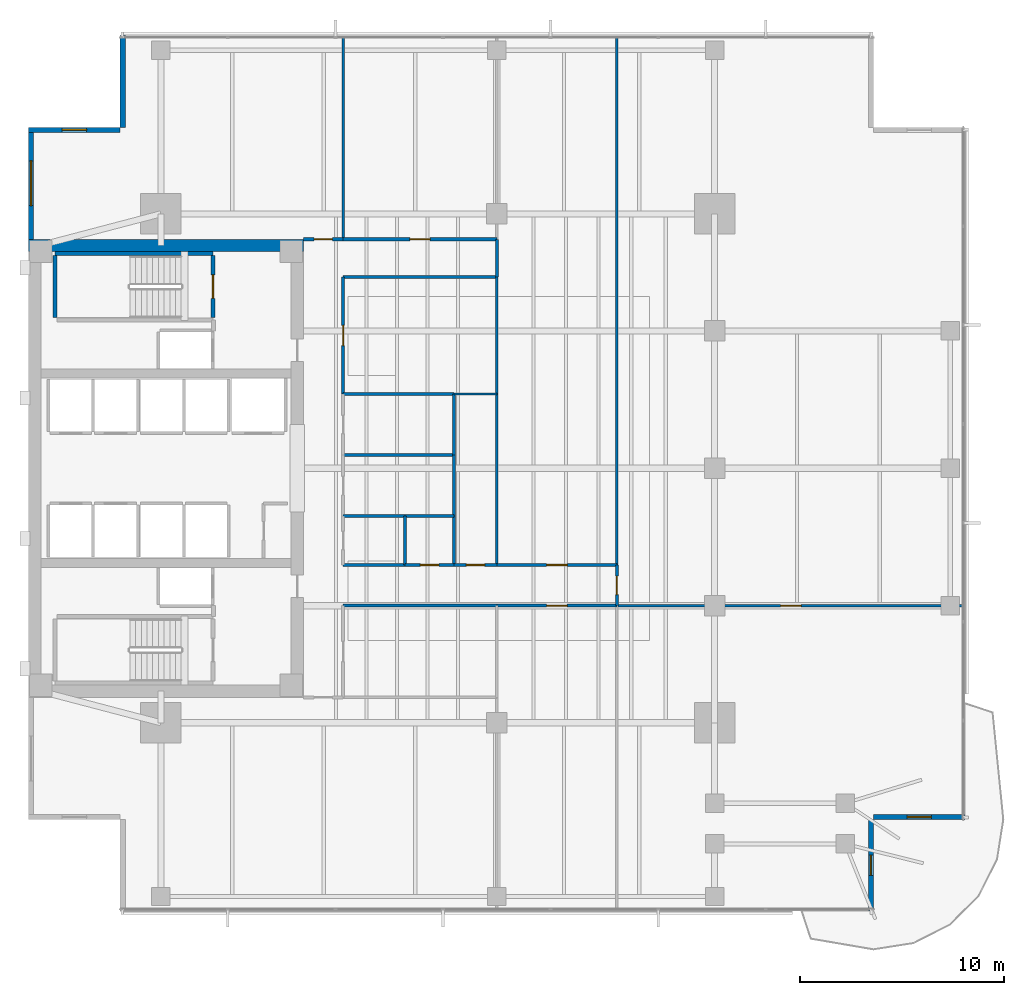
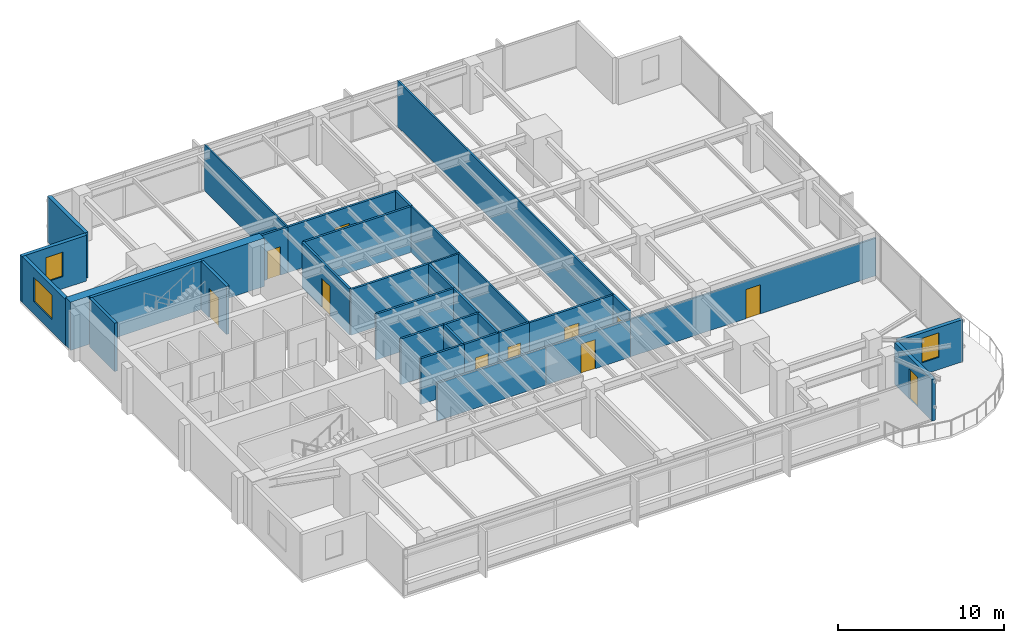
# One storey, part 9 of 14: 35 walls, 11 doors, 3 windows, 14 openings.
"""IFC4 building model written with IfcOpenShell, lengths in metres."""

from ifc_helpers import new_model, si_unit, direction, frame, frame_2d, origin, place, context, subcontext, project, spatial, rectangle, extrude, material, layer, layer_set, type_object, element, fill, save


model = new_model("IFC4")

# Units and contexts
model_context = context("Model", 3, precision=1e-05, world=origin(), true_north=direction((0.0, 1.0)))
body_context = subcontext(model_context, "Body", "Model", "MODEL_VIEW")
ifc_project = project(units=[si_unit("LENGTHUNIT", "METRE"), si_unit("AREAUNIT", "SQUARE_METRE"), si_unit("VOLUMEUNIT", "CUBIC_METRE"), si_unit("PLANEANGLEUNIT", "RADIAN"), si_unit("MASSUNIT", "GRAM", prefix="KILO")], contexts=[model_context])

# Site, building, storey
site_placement = place(None, origin())
site = spatial("IfcSite", under=ifc_project, at=site_placement, CompositionType="ELEMENT")
building_placement = place(site_placement, origin())
building = spatial("IfcBuilding", under=site, at=building_placement, Name="Kinhvarn Gate Tower", CompositionType="ELEMENT")
storey_placement = place(building_placement, frame((0.0, 0.0, 141.300048828125)))
storey = spatial("IfcBuildingStorey", under=building, at=storey_placement, Name="L37", CompositionType="ELEMENT", Elevation=141.300048828125)

# Wall
ifc_material_1 = material(Name="Concrete C60/75", Category="concrete")
ifc_layer_1 = layer(ifc_material_1, 0.60009765625)
ifc_layer_set_1 = layer_set([ifc_layer_1], Name="Concrete C60/75")
wall_type_1 = type_object("IfcWallType", Name="WL-CORE-600", PredefinedType="SHEAR", material=ifc_layer_set_1)
wall_1_placement = place(storey_placement, frame((4.5, 36.199951171875, 0.0), z_axis=(0.0, 0.0, 1.0), x_axis=(1.0, 0.0, 0.0)))
element("IfcWall", 1, at=wall_1_placement, inside=storey, type_object=wall_type_1, Name="Core North Shear Wall L37 600 mm", PredefinedType="SHEAR", context=body_context, shape_type="SweptSolid", body=[
    extrude(rectangle(XDim=13.5, YDim=0.60009765625, at=frame_2d((6.75, 0.0))), origin(), (0.0, 0.0, 1.0), 3.550048828125),
])

# Wall, opening, window
ifc_material_2 = material(Name="Fired architectural terracotta", Category="masonry")
ifc_layer_2 = layer(ifc_material_2, 0.25)
ifc_layer_set_2 = layer_set([ifc_layer_2], Name="Fired architectural terracotta")
wall_type_2 = type_object("IfcWallType", Name="WL-EXT-250", PredefinedType="SOLIDWALL", material=ifc_layer_set_2)
wall_2_placement = place(storey_placement, frame((4.625, 42.0, 0.0), z_axis=(0.0, 0.0, 1.0), x_axis=(0.0, -1.0, 0.0)))
wall_2 = element("IfcWall", 2, at=wall_2_placement, inside=storey, type_object=wall_type_2, Name="Exterior Solidwall Wall EW-250 (L37 West-North)", PredefinedType="SOLIDWALL", context=body_context, shape_type="SweptSolid", body=[
    extrude(rectangle(XDim=5.5, YDim=0.25, at=frame_2d((2.75, 0.0))), origin(), (0.0, 0.0, 1.0), 3.369873046875),
])
opening_1_placement = place(wall_2_placement, frame((1.64990234375, 0.0, 0.89990234375)))
opening_1 = element("IfcOpeningElement", 3, at=opening_1_placement, cuts=wall_2, Name="Opening WN-01", PredefinedType="OPENING", context=body_context, shape_type="SweptSolid", body=[
    extrude(rectangle(XDim=2.199951171875, YDim=1.800048828125, at=frame_2d((1.10009765625, 0.89990234375))), frame((0.0, 0.135009765625, 0.0), z_axis=(0.0, -1.0, 0.0), x_axis=(1.0, 0.0, 0.0)), (0.0, 0.0, 1.0), 0.27001953125),
])
ifc_material_3 = material(Name="Clear low-e double glazing", Category="glass")
window_type_1 = type_object("IfcWindowType", Name="WIN-RIB-2200", PartitioningType="SINGLE_PANEL", PredefinedType="WINDOW", material=ifc_material_3)
window_1_placement = place(opening_1_placement, origin())
window_1 = element("IfcWindow", 4, at=window_1_placement, inside=storey, type_object=window_type_1, Name="West Flank Double-Glazed Ribbon Window 2200x1800 mm (L37)", OverallHeight=1.800048828125, OverallWidth=2.199951171875, PartitioningType="SINGLE_PANEL", PredefinedType="WINDOW", context=body_context, shape_type="SweptSolid", body=[
    extrude(rectangle(XDim=2.199951171875, YDim=1.800048828125, at=frame_2d((1.10009765625, 0.89990234375))), frame((0.0, 0.030029296875, 0.0), z_axis=(0.0, -1.0, 0.0), x_axis=(1.0, 0.0, 0.0)), (0.0, 0.0, 1.0), 0.06005859375),
])
fill(opening_1, window_1)

# Wall, opening, door
wall_3_placement = place(storey_placement, frame((45.875, 3.5, 0.0), z_axis=(0.0, 0.0, 1.0), x_axis=(0.0, 1.0, 0.0)))
wall_3 = element("IfcWall", 5, at=wall_3_placement, inside=storey, type_object=wall_type_2, Name="Exterior Solidwall Wall EW-250 (L37 SE-Notch-Door)", PredefinedType="SOLIDWALL", context=body_context, shape_type="SweptSolid", body=[
    extrude(rectangle(XDim=4.5, YDim=0.25, at=frame_2d((2.25, 0.0))), origin(), (0.0, 0.0, 1.0), 3.070068359375),
])
opening_2_placement = place(wall_3_placement, frame((1.75, 0.0, 0.0)))
opening_2 = element("IfcOpeningElement", 6, at=opening_2_placement, cuts=wall_3, Name="Opening BD-01", PredefinedType="OPENING", context=body_context, shape_type="SweptSolid", body=[
    extrude(rectangle(XDim=1.0, YDim=2.199951171875, at=frame_2d((0.5, 1.10009765625))), frame((0.0, 0.135009765625, 0.0), z_axis=(0.0, -1.0, 0.0), x_axis=(1.0, 0.0, 0.0)), (0.0, 0.0, 1.0), 0.27001953125),
])
door_type_1 = type_object("IfcDoorType", Name="DR-BAL-1000", OperationType="NOTDEFINED", PredefinedType="DOOR", material=ifc_material_3)
door_1_placement = place(opening_2_placement, frame((1.0, 0.0, 0.0), z_axis=(0.0, 0.0, 1.0), x_axis=(-1.0, 0.0, 0.0)))
door_1 = element("IfcDoor", 7, at=door_1_placement, inside=storey, type_object=door_type_1, Name="S-Carve Balcony Door BD-01 (L37)", OperationType="SINGLE_SWING_LEFT", OverallHeight=2.199951171875, OverallWidth=1.0, PredefinedType="DOOR", context=body_context, shape_type="SweptSolid", body=[
    extrude(rectangle(XDim=1.0, YDim=2.199951171875, at=frame_2d((0.5, 1.10009765625))), frame((0.0, 0.02490234375, 0.0), z_axis=(0.0, -1.0, 0.0), x_axis=(1.0, 0.0, 0.0)), (0.0, 0.0, 1.0), 0.050048828125),
])
fill(opening_2, door_1)

# Wall, opening, window
wall_4_placement = place(storey_placement, frame((46.0, 8.125, 0.0), z_axis=(0.0, 0.0, 1.0), x_axis=(1.0, 0.0, 0.0)))
wall_4 = element("IfcWall", 8, at=wall_4_placement, inside=storey, type_object=wall_type_2, Name="Exterior Solidwall Wall EW-250 (L37 SE-Notch-Win)", PredefinedType="SOLIDWALL", context=body_context, shape_type="SweptSolid", body=[
    extrude(rectangle(XDim=4.5, YDim=0.25, at=frame_2d((2.25, 0.0))), origin(), (0.0, 0.0, 1.0), 3.099853515625),
])
opening_3_placement = place(wall_4_placement, frame((1.64990234375, 0.0, 0.89990234375)))
opening_3 = element("IfcOpeningElement", 9, at=opening_3_placement, cuts=wall_4, Name="Opening WN-02", PredefinedType="OPENING", context=body_context, shape_type="SweptSolid", body=[
    extrude(rectangle(XDim=1.199951171875, YDim=1.800048828125, at=frame_2d((0.60009765625, 0.89990234375))), frame((0.0, 0.135009765625, 0.0), z_axis=(0.0, -1.0, 0.0), x_axis=(1.0, 0.0, 0.0)), (0.0, 0.0, 1.0), 0.27001953125),
])
window_type_2 = type_object("IfcWindowType", Name="WIN-NTC-1200", PartitioningType="SINGLE_PANEL", PredefinedType="WINDOW", material=ifc_material_3)
window_2_placement = place(opening_3_placement, origin())
window_2 = element("IfcWindow", 10, at=window_2_placement, inside=storey, type_object=window_type_2, Name="Recessed Corner Notch Punched Window 1200x1800 mm (L37)", OverallHeight=1.800048828125, OverallWidth=1.199951171875, PartitioningType="SINGLE_PANEL", PredefinedType="WINDOW", context=body_context, shape_type="SweptSolid", body=[
    extrude(rectangle(XDim=1.199951171875, YDim=1.800048828125, at=frame_2d((0.60009765625, 0.89990234375))), frame((0.0, 0.030029296875, 0.0), z_axis=(0.0, -1.0, 0.0), x_axis=(1.0, 0.0, 0.0)), (0.0, 0.0, 1.0), 0.06005859375),
])
fill(opening_3, window_2)

# Wall
wall_5_placement = place(storey_placement, frame((9.125, 46.5, 0.0), z_axis=(0.0, 0.0, 1.0), x_axis=(0.0, -1.0, 0.0)))
element("IfcWall", 11, at=wall_5_placement, inside=storey, type_object=wall_type_2, Name="Exterior Solidwall Wall EW-250 (L37 NW-Notch-1)", PredefinedType="SOLIDWALL", context=body_context, shape_type="SweptSolid", body=[
    extrude(rectangle(XDim=4.5, YDim=0.25, at=frame_2d((2.25, 0.0))), origin(), (0.0, 0.0, 1.0), 3.369873046875),
])

# Wall, opening, window
wall_6_placement = place(storey_placement, frame((9.0, 41.875, 0.0), z_axis=(0.0, 0.0, 1.0), x_axis=(-1.0, 0.0, 0.0)))
wall_6 = element("IfcWall", 12, at=wall_6_placement, inside=storey, type_object=wall_type_2, Name="Exterior Solidwall Wall EW-250 (L37 NW-Notch-2)", PredefinedType="SOLIDWALL", context=body_context, shape_type="SweptSolid", body=[
    extrude(rectangle(XDim=4.5, YDim=0.25, at=frame_2d((2.25, 0.0))), origin(), (0.0, 0.0, 1.0), 3.369873046875),
])
opening_4_placement = place(wall_6_placement, frame((1.64990234375, 0.0, 0.89990234375)))
opening_4 = element("IfcOpeningElement", 13, at=opening_4_placement, cuts=wall_6, Name="Opening WN-02", PredefinedType="OPENING", context=body_context, shape_type="SweptSolid", body=[
    extrude(rectangle(XDim=1.199951171875, YDim=1.800048828125, at=frame_2d((0.60009765625, 0.89990234375))), frame((0.0, 0.135009765625, 0.0), z_axis=(0.0, -1.0, 0.0), x_axis=(1.0, 0.0, 0.0)), (0.0, 0.0, 1.0), 0.27001953125),
])
window_3_placement = place(opening_4_placement, origin())
window_3 = element("IfcWindow", 14, at=window_3_placement, inside=storey, type_object=window_type_2, Name="Recessed Corner Notch Punched Window 1200x1800 mm (L37)", OverallHeight=1.800048828125, OverallWidth=1.199951171875, PartitioningType="SINGLE_PANEL", PredefinedType="WINDOW", context=body_context, shape_type="SweptSolid", body=[
    extrude(rectangle(XDim=1.199951171875, YDim=1.800048828125, at=frame_2d((0.60009765625, 0.89990234375))), frame((0.0, 0.030029296875, 0.0), z_axis=(0.0, -1.0, 0.0), x_axis=(1.0, 0.0, 0.0)), (0.0, 0.0, 1.0), 0.06005859375),
])
fill(opening_4, window_3)

# Walls
ifc_material_4 = material(Name="Gypsum acoustic partition board")
ifc_layer_3 = layer(ifc_material_4, 0.14990234375)
ifc_layer_set_3 = layer_set([ifc_layer_3], Name="Gypsum acoustic partition board")
wall_type_3 = type_object("IfcWallType", Name="WL-PLM-150", PredefinedType="PLUMBINGWALL", material=ifc_layer_set_3)
wall_7_placement = place(storey_placement, frame((23.0, 20.5, 0.0), z_axis=(0.0, 0.0, 1.0), x_axis=(0.0, 1.0, 0.0)))
element("IfcWall", 15, at=wall_7_placement, inside=storey, type_object=wall_type_3, Name="Interior Partition PLW-150 (L37)", PredefinedType="PLUMBINGWALL", context=body_context, shape_type="SweptSolid", body=[
    extrude(rectangle(XDim=2.39990234375, YDim=0.14990234375, at=frame_2d((1.199951171875, 0.0))), origin(), (0.0, 0.0, 1.0), 3.369873046875),
])
wall_8_placement = place(storey_placement, frame((19.949951171875, 22.89990234375, 0.0), z_axis=(0.0, 0.0, 1.0), x_axis=(1.0, 0.0, 0.0)))
element("IfcWall", 16, at=wall_8_placement, inside=storey, type_object=wall_type_3, Name="Interior Partition PLW-150 (L37)", PredefinedType="PLUMBINGWALL", context=body_context, shape_type="SweptSolid", body=[
    extrude(rectangle(XDim=3.050048828125, YDim=0.14990234375, at=frame_2d((1.52490234375, 0.0))), origin(), (0.0, 0.0, 1.0), 3.369873046875),
])
for number, where, z_axis, x_axis, name in (
    (17, (23.0, 22.89990234375, 0.0), (0.0, 0.0, 1.0), (1.0, 0.0, 0.0), "Interior Partition PLW-150 (L37)"),
    (18, (25.39990234375, 20.5, 0.0), (0.0, 0.0, 1.0), (0.0, 1.0, 0.0), "Interior Partition PLW-150 (L37)"),
):
    element("IfcWall", number, at=place(storey_placement, frame(where, z_axis=z_axis, x_axis=x_axis)), inside=storey, type_object=wall_type_3, Name=name, PredefinedType="PLUMBINGWALL", context=body_context, shape_type="SweptSolid", body=[
        extrude(rectangle(XDim=2.39990234375, YDim=0.14990234375, at=frame_2d((1.199951171875, 0.0))), origin(), (0.0, 0.0, 1.0), 3.369873046875),
    ])
wall_9_placement = place(storey_placement, frame((19.949951171875, 25.89990234375, 0.0), z_axis=(0.0, 0.0, 1.0), x_axis=(1.0, 0.0, 0.0)))
element("IfcWall", 19, at=wall_9_placement, inside=storey, type_object=wall_type_3, Name="Interior Partition PLW-150 (L37)", PredefinedType="PLUMBINGWALL", context=body_context, shape_type="SweptSolid", body=[
    extrude(rectangle(XDim=5.449951171875, YDim=0.14990234375, at=frame_2d((2.72509765625, 0.0))), origin(), (0.0, 0.0, 1.0), 3.369873046875),
])
for number, where, z_axis, x_axis, name in (
    (20, (25.39990234375, 22.89990234375, 0.0), (0.0, 0.0, 1.0), (0.0, 1.0, 0.0), "Interior Partition PLW-150 (L37)"),
    (21, (25.39990234375, 25.89990234375, 0.0), (0.0, 0.0, 1.0), (0.0, 1.0, 0.0), "Interior Partition PLW-150 (L37)"),
):
    element("IfcWall", number, at=place(storey_placement, frame(where, z_axis=z_axis, x_axis=x_axis)), inside=storey, type_object=wall_type_3, Name=name, PredefinedType="PLUMBINGWALL", context=body_context, shape_type="SweptSolid", body=[
        extrude(rectangle(XDim=3.0, YDim=0.14990234375, at=frame_2d((1.5, 0.0))), origin(), (0.0, 0.0, 1.0), 3.369873046875),
    ])
wall_10_placement = place(storey_placement, frame((19.949951171875, 28.89990234375, 0.0), z_axis=(0.0, 0.0, 1.0), x_axis=(1.0, 0.0, 0.0)))
element("IfcWall", 22, at=wall_10_placement, inside=storey, type_object=wall_type_3, Name="Interior Partition PLW-150 (L37)", PredefinedType="PLUMBINGWALL", context=body_context, shape_type="SweptSolid", body=[
    extrude(rectangle(XDim=5.449951171875, YDim=0.14990234375, at=frame_2d((2.72509765625, 0.0))), origin(), (0.0, 0.0, 1.0), 3.369873046875),
])
ifc_layer_4 = layer(ifc_material_4, 0.14990234375)
ifc_layer_set_4 = layer_set([ifc_layer_4], Name="Gypsum acoustic partition board")
wall_type_4 = type_object("IfcWallType", Name="WL-PLM-150F", PredefinedType="PLUMBINGWALL", material=ifc_layer_set_4)
wall_11_placement = place(storey_placement, frame((19.949951171875, 20.5, 0.0), z_axis=(0.0, 0.0, 1.0), x_axis=(1.0, 0.0, 0.0)))
element("IfcWall", 23, at=wall_11_placement, inside=storey, type_object=wall_type_4, Name="Interior Partition PLW-150F (L37)", PredefinedType="PLUMBINGWALL", context=body_context, shape_type="SweptSolid", body=[
    extrude(rectangle(XDim=3.050048828125, YDim=0.14990234375, at=frame_2d((1.52490234375, 0.0))), origin(), (0.0, 0.0, 1.0), 3.369873046875),
])

# Wall, opening, door
wall_12_placement = place(storey_placement, frame((23.0, 20.5, 0.0), z_axis=(0.0, 0.0, 1.0), x_axis=(1.0, 0.0, 0.0)))
wall_12 = element("IfcWall", 24, at=wall_12_placement, inside=storey, type_object=wall_type_4, Name="Interior Partition PLW-150F (L37)", PredefinedType="PLUMBINGWALL", context=body_context, shape_type="SweptSolid", body=[
    extrude(rectangle(XDim=2.39990234375, YDim=0.14990234375, at=frame_2d((1.199951171875, 0.0))), origin(), (0.0, 0.0, 1.0), 3.369873046875),
])
opening_5_placement = place(wall_12_placement, frame((0.75, 0.0, 0.0)))
opening_5 = element("IfcOpeningElement", 25, at=opening_5_placement, cuts=wall_12, Name="Opening FD-04", PredefinedType="OPENING", context=body_context, shape_type="SweptSolid", body=[
    extrude(rectangle(XDim=0.89990234375, YDim=2.10009765625, at=frame_2d((0.449951171875, 1.050048828125))), frame((0.0, 0.0849609375, 0.0), z_axis=(0.0, -1.0, 0.0), x_axis=(1.0, 0.0, 0.0)), (0.0, 0.0, 1.0), 0.169921875),
])
ifc_material_5 = material(Name="Anodised aluminium AW-6063", Category="aluminium")
door_type_2 = type_object("IfcDoorType", Name="DR-FD-900", OperationType="NOTDEFINED", PredefinedType="DOOR", material=ifc_material_5)
door_2_placement = place(opening_5_placement, origin())
door_2 = element("IfcDoor", 26, at=door_2_placement, inside=storey, type_object=door_type_2, Name="Rated Riser & Service Closet Fire Door 900x2100 mm (L37)", OperationType="SINGLE_SWING_LEFT", OverallHeight=2.10009765625, OverallWidth=0.89990234375, PredefinedType="DOOR", context=body_context, shape_type="SweptSolid", body=[
    extrude(rectangle(XDim=0.89990234375, YDim=2.10009765625, at=frame_2d((0.449951171875, 1.050048828125))), frame((0.0, 0.02490234375, 0.0), z_axis=(0.0, -1.0, 0.0), x_axis=(1.0, 0.0, 0.0)), (0.0, 0.0, 1.0), 0.050048828125),
])
fill(opening_5, door_2)

# Walls
ifc_layer_5 = layer(ifc_material_4, 0.1201171875)
ifc_layer_set_5 = layer_set([ifc_layer_5], Name="Gypsum acoustic partition board")
wall_type_5 = type_object("IfcWallType", Name="WL-PRT-120", PredefinedType="PARTITIONING", material=ifc_layer_set_5)
wall_13_placement = place(storey_placement, frame((25.39990234375, 28.89990234375, 0.0), z_axis=(0.0, 0.0, 1.0), x_axis=(1.0, 0.0, 0.0)))
element("IfcWall", 27, at=wall_13_placement, inside=storey, type_object=wall_type_5, Name="Interior Partition PW-120 (L37)", PredefinedType="PARTITIONING", context=body_context, shape_type="SweptSolid", body=[
    extrude(rectangle(XDim=2.10009765625, YDim=0.1201171875, at=frame_2d((1.050048828125, 0.0))), origin(), (0.0, 0.0, 1.0), 3.369873046875),
])
wall_14_placement = place(storey_placement, frame((27.5, 20.5, 0.0), z_axis=(0.0, 0.0, 1.0), x_axis=(0.0, 1.0, 0.0)))
element("IfcWall", 28, at=wall_14_placement, inside=storey, type_object=wall_type_5, Name="Interior Partition PW-120 (L37)", PredefinedType="PARTITIONING", context=body_context, shape_type="SweptSolid", body=[
    extrude(rectangle(XDim=8.39990234375, YDim=0.1201171875, at=frame_2d((4.199951171875, 0.0))), origin(), (0.0, 0.0, 1.0), 3.369873046875),
])
wall_15_placement = place(storey_placement, frame((27.5, 28.89990234375, 0.0), z_axis=(0.0, 0.0, 1.0), x_axis=(0.0, 1.0, 0.0)))
element("IfcWall", 29, at=wall_15_placement, inside=storey, type_object=wall_type_5, Name="Interior Partition PW-120 (L37)", PredefinedType="PARTITIONING", context=body_context, shape_type="SweptSolid", body=[
    extrude(rectangle(XDim=5.75, YDim=0.1201171875, at=frame_2d((2.875, 0.0))), origin(), (0.0, 0.0, 1.0), 3.369873046875),
])
wall_16_placement = place(storey_placement, frame((19.949951171875, 36.5, 0.0), z_axis=(0.0, 0.0, 1.0), x_axis=(0.0, 1.0, 0.0)))
element("IfcWall", 30, at=wall_16_placement, inside=storey, type_object=wall_type_5, Name="Interior Partition PW-120 (L37)", PredefinedType="PARTITIONING", context=body_context, shape_type="SweptSolid", body=[
    extrude(rectangle(XDim=9.989990234375, YDim=0.1201171875, at=frame_2d((4.9951171875, 0.0))), origin(), (0.0, 0.0, 1.0), 3.369873046875),
])
wall_17_placement = place(storey_placement, frame((33.39990234375, 20.5, 0.0), z_axis=(0.0, 0.0, 1.0), x_axis=(0.0, 1.0, 0.0)))
element("IfcWall", 31, at=wall_17_placement, inside=storey, type_object=wall_type_5, Name="Interior Partition PW-120 (L37)", PredefinedType="PARTITIONING", context=body_context, shape_type="SweptSolid", body=[
    extrude(rectangle(XDim=25.989990234375, YDim=0.1201171875, at=frame_2d((12.9951171875, 0.0))), origin(), (0.0, 0.0, 1.0), 3.369873046875),
])

# Wall, opening, door
wall_18_placement = place(storey_placement, frame((33.39990234375, 18.5, 0.0), z_axis=(0.0, 0.0, 1.0), x_axis=(1.0, 0.0, 0.0)))
wall_18 = element("IfcWall", 32, at=wall_18_placement, inside=storey, type_object=wall_type_5, Name="Interior Partition PW-120 (L37)", PredefinedType="PARTITIONING", context=body_context, shape_type="SweptSolid", body=[
    extrude(rectangle(XDim=17.090087890625, YDim=0.1201171875, at=frame_2d((8.544921875, 0.0))), origin(), (0.0, 0.0, 1.0), 2.77001953125),
])
opening_6_placement = place(wall_18_placement, frame((8.044921875, 0.0, 0.0)))
opening_6 = element("IfcOpeningElement", 33, at=opening_6_placement, cuts=wall_18, Name="Opening ID-02", PredefinedType="OPENING", context=body_context, shape_type="SweptSolid", body=[
    extrude(rectangle(XDim=1.0, YDim=2.14990234375, at=frame_2d((0.5, 1.074951171875))), frame((0.0, 0.070068359375, 0.0), z_axis=(0.0, -1.0, 0.0), x_axis=(1.0, 0.0, 0.0)), (0.0, 0.0, 1.0), 0.14013671875),
])
door_type_3 = type_object("IfcDoorType", Name="DR-INT-1000", OperationType="NOTDEFINED", PredefinedType="DOOR", material=ifc_material_5)
door_3_placement = place(opening_6_placement, origin())
door_3 = element("IfcDoor", 34, at=door_3_placement, inside=storey, type_object=door_type_3, Name="Standard Office & Meeting Room Door 1000x2150 mm (L37)", OperationType="SINGLE_SWING_LEFT", OverallHeight=2.14990234375, OverallWidth=1.0, PredefinedType="DOOR", context=body_context, shape_type="SweptSolid", body=[
    extrude(rectangle(XDim=1.0, YDim=2.14990234375, at=frame_2d((0.5, 1.074951171875))), frame((0.0, 0.02490234375, 0.0), z_axis=(0.0, -1.0, 0.0), x_axis=(1.0, 0.0, 0.0)), (0.0, 0.0, 1.0), 0.050048828125),
])
fill(opening_6, door_3)

ifc_layer_6 = layer(ifc_material_4, 0.14990234375)
ifc_layer_set_6 = layer_set([ifc_layer_6], Name="Gypsum acoustic partition board")
wall_type_6 = type_object("IfcWallType", Name="WL-PRT-150F", PredefinedType="PARTITIONING", material=ifc_layer_set_6)
wall_19_placement = place(storey_placement, frame((19.949951171875, 28.89990234375, 0.0), z_axis=(0.0, 0.0, 1.0), x_axis=(0.0, 1.0, 0.0)))
wall_19 = element("IfcWall", 35, at=wall_19_placement, inside=storey, type_object=wall_type_6, Name="Interior Partition PW-150F (L37)", PredefinedType="PARTITIONING", context=body_context, shape_type="SweptSolid", body=[
    extrude(rectangle(XDim=5.75, YDim=0.14990234375, at=frame_2d((2.875, 0.0))), origin(), (0.0, 0.0, 1.0), 3.369873046875),
])
opening_7_placement = place(wall_19_placement, frame((2.375, 0.0, 0.0)))
opening_7 = element("IfcOpeningElement", 36, at=opening_7_placement, cuts=wall_19, Name="Opening ID-02", PredefinedType="OPENING", context=body_context, shape_type="SweptSolid", body=[
    extrude(rectangle(XDim=1.0, YDim=2.14990234375, at=frame_2d((0.5, 1.074951171875))), frame((0.0, 0.0849609375, 0.0), z_axis=(0.0, -1.0, 0.0), x_axis=(1.0, 0.0, 0.0)), (0.0, 0.0, 1.0), 0.169921875),
])
door_4_placement = place(opening_7_placement, origin())
door_4 = element("IfcDoor", 37, at=door_4_placement, inside=storey, type_object=door_type_3, Name="Standard Office & Meeting Room Door 1000x2150 mm (L37)", OperationType="SINGLE_SWING_LEFT", OverallHeight=2.14990234375, OverallWidth=1.0, PredefinedType="DOOR", context=body_context, shape_type="SweptSolid", body=[
    extrude(rectangle(XDim=1.0, YDim=2.14990234375, at=frame_2d((0.5, 1.074951171875))), frame((0.0, 0.02490234375, 0.0), z_axis=(0.0, -1.0, 0.0), x_axis=(1.0, 0.0, 0.0)), (0.0, 0.0, 1.0), 0.050048828125),
])
fill(opening_7, door_4)

wall_20_placement = place(storey_placement, frame((18.0, 36.5, 0.0), z_axis=(0.0, 0.0, 1.0), x_axis=(1.0, 0.0, 0.0)))
wall_20 = element("IfcWall", 38, at=wall_20_placement, inside=storey, type_object=wall_type_6, Name="Interior Partition PW-150F (L37)", PredefinedType="PARTITIONING", context=body_context, shape_type="SweptSolid", body=[
    extrude(rectangle(XDim=1.949951171875, YDim=0.14990234375, at=frame_2d((0.97509765625, 0.0))), origin(), (0.0, 0.0, 1.0), 3.369873046875),
])
opening_8_placement = place(wall_20_placement, frame((0.52490234375, 0.0, 0.0)))
opening_8 = element("IfcOpeningElement", 39, at=opening_8_placement, cuts=wall_20, Name="Opening ID-03", PredefinedType="OPENING", context=body_context, shape_type="SweptSolid", body=[
    extrude(rectangle(XDim=0.89990234375, YDim=2.10009765625, at=frame_2d((0.449951171875, 1.050048828125))), frame((0.0, 0.0849609375, 0.0), z_axis=(0.0, -1.0, 0.0), x_axis=(1.0, 0.0, 0.0)), (0.0, 0.0, 1.0), 0.169921875),
])
door_type_4 = type_object("IfcDoorType", Name="DR-INT-900", OperationType="NOTDEFINED", PredefinedType="DOOR", material=ifc_material_5)
door_5_placement = place(opening_8_placement, origin())
door_5 = element("IfcDoor", 40, at=door_5_placement, inside=storey, type_object=door_type_4, Name="Cellular Office & Restroom Door 900x2100 mm (L37)", OperationType="SINGLE_SWING_RIGHT", OverallHeight=2.10009765625, OverallWidth=0.89990234375, PredefinedType="DOOR", context=body_context, shape_type="SweptSolid", body=[
    extrude(rectangle(XDim=0.89990234375, YDim=2.10009765625, at=frame_2d((0.449951171875, 1.050048828125))), frame((0.0, 0.02490234375, 0.0), z_axis=(0.0, -1.0, 0.0), x_axis=(1.0, 0.0, 0.0)), (0.0, 0.0, 1.0), 0.050048828125),
])
fill(opening_8, door_5)

wall_21_placement = place(storey_placement, frame((25.39990234375, 20.5, 0.0), z_axis=(0.0, 0.0, 1.0), x_axis=(1.0, 0.0, 0.0)))
wall_21 = element("IfcWall", 41, at=wall_21_placement, inside=storey, type_object=wall_type_6, Name="Interior Partition PW-150F (L37)", PredefinedType="PARTITIONING", context=body_context, shape_type="SweptSolid", body=[
    extrude(rectangle(XDim=2.10009765625, YDim=0.14990234375, at=frame_2d((1.050048828125, 0.0))), origin(), (0.0, 0.0, 1.0), 3.369873046875),
])
opening_9_placement = place(wall_21_placement, frame((0.60009765625, 0.0, 0.0)))
opening_9 = element("IfcOpeningElement", 42, at=opening_9_placement, cuts=wall_21, Name="Opening ID-03", PredefinedType="OPENING", context=body_context, shape_type="SweptSolid", body=[
    extrude(rectangle(XDim=0.89990234375, YDim=2.10009765625, at=frame_2d((0.449951171875, 1.050048828125))), frame((0.0, 0.0849609375, 0.0), z_axis=(0.0, -1.0, 0.0), x_axis=(1.0, 0.0, 0.0)), (0.0, 0.0, 1.0), 0.169921875),
])
door_6_placement = place(opening_9_placement, origin())
door_6 = element("IfcDoor", 43, at=door_6_placement, inside=storey, type_object=door_type_4, Name="Cellular Office & Restroom Door 900x2100 mm (L37)", OperationType="SINGLE_SWING_RIGHT", OverallHeight=2.10009765625, OverallWidth=0.89990234375, PredefinedType="DOOR", context=body_context, shape_type="SweptSolid", body=[
    extrude(rectangle(XDim=0.89990234375, YDim=2.10009765625, at=frame_2d((0.449951171875, 1.050048828125))), frame((0.0, 0.02490234375, 0.0), z_axis=(0.0, -1.0, 0.0), x_axis=(1.0, 0.0, 0.0)), (0.0, 0.0, 1.0), 0.050048828125),
])
fill(opening_9, door_6)

# Wall
wall_22_placement = place(storey_placement, frame((19.949951171875, 18.5, 0.0), z_axis=(0.0, 0.0, 1.0), x_axis=(1.0, 0.0, 0.0)))
element("IfcWall", 44, at=wall_22_placement, inside=storey, type_object=wall_type_6, Name="Interior Partition PW-150F (L37)", PredefinedType="PARTITIONING", context=body_context, shape_type="SweptSolid", body=[
    extrude(rectangle(XDim=7.550048828125, YDim=0.14990234375, at=frame_2d((3.77490234375, 0.0))), origin(), (0.0, 0.0, 1.0), 2.77001953125),
])

# Wall, opening, door
wall_23_placement = place(storey_placement, frame((27.5, 18.5, 0.0), z_axis=(0.0, 0.0, 1.0), x_axis=(1.0, 0.0, 0.0)))
wall_23 = element("IfcWall", 45, at=wall_23_placement, inside=storey, type_object=wall_type_6, Name="Interior Partition PW-150F (L37)", PredefinedType="PARTITIONING", context=body_context, shape_type="SweptSolid", body=[
    extrude(rectangle(XDim=5.89990234375, YDim=0.14990234375, at=frame_2d((2.949951171875, 0.0))), origin(), (0.0, 0.0, 1.0), 2.77001953125),
])
opening_10_placement = place(wall_23_placement, frame((2.449951171875, 0.0, 0.0)))
opening_10 = element("IfcOpeningElement", 46, at=opening_10_placement, cuts=wall_23, Name="Opening ID-02", PredefinedType="OPENING", context=body_context, shape_type="SweptSolid", body=[
    extrude(rectangle(XDim=1.0, YDim=2.14990234375, at=frame_2d((0.5, 1.074951171875))), frame((0.0, 0.0849609375, 0.0), z_axis=(0.0, -1.0, 0.0), x_axis=(1.0, 0.0, 0.0)), (0.0, 0.0, 1.0), 0.169921875),
])
door_7_placement = place(opening_10_placement, origin())
door_7 = element("IfcDoor", 47, at=door_7_placement, inside=storey, type_object=door_type_3, Name="Standard Office & Meeting Room Door 1000x2150 mm (L37)", OperationType="SINGLE_SWING_LEFT", OverallHeight=2.14990234375, OverallWidth=1.0, PredefinedType="DOOR", context=body_context, shape_type="SweptSolid", body=[
    extrude(rectangle(XDim=1.0, YDim=2.14990234375, at=frame_2d((0.5, 1.074951171875))), frame((0.0, 0.02490234375, 0.0), z_axis=(0.0, -1.0, 0.0), x_axis=(1.0, 0.0, 0.0)), (0.0, 0.0, 1.0), 0.050048828125),
])
fill(opening_10, door_7)

wall_24_placement = place(storey_placement, frame((27.5, 20.5, 0.0), z_axis=(0.0, 0.0, 1.0), x_axis=(1.0, 0.0, 0.0)))
wall_24 = element("IfcWall", 48, at=wall_24_placement, inside=storey, type_object=wall_type_6, Name="Interior Partition PW-150F (L37)", PredefinedType="PARTITIONING", context=body_context, shape_type="SweptSolid", body=[
    extrude(rectangle(XDim=5.89990234375, YDim=0.14990234375, at=frame_2d((2.949951171875, 0.0))), origin(), (0.0, 0.0, 1.0), 3.369873046875),
])
opening_11_placement = place(wall_24_placement, frame((2.449951171875, 0.0, 0.0)))
opening_11 = element("IfcOpeningElement", 49, at=opening_11_placement, cuts=wall_24, Name="Opening ID-02", PredefinedType="OPENING", context=body_context, shape_type="SweptSolid", body=[
    extrude(rectangle(XDim=1.0, YDim=2.14990234375, at=frame_2d((0.5, 1.074951171875))), frame((0.0, 0.0849609375, 0.0), z_axis=(0.0, -1.0, 0.0), x_axis=(1.0, 0.0, 0.0)), (0.0, 0.0, 1.0), 0.169921875),
])
door_8_placement = place(opening_11_placement, origin())
door_8 = element("IfcDoor", 50, at=door_8_placement, inside=storey, type_object=door_type_3, Name="Standard Office & Meeting Room Door 1000x2150 mm (L37)", OperationType="SINGLE_SWING_RIGHT", OverallHeight=2.14990234375, OverallWidth=1.0, PredefinedType="DOOR", context=body_context, shape_type="SweptSolid", body=[
    extrude(rectangle(XDim=1.0, YDim=2.14990234375, at=frame_2d((0.5, 1.074951171875))), frame((0.0, 0.02490234375, 0.0), z_axis=(0.0, -1.0, 0.0), x_axis=(1.0, 0.0, 0.0)), (0.0, 0.0, 1.0), 0.050048828125),
])
fill(opening_11, door_8)

wall_25_placement = place(storey_placement, frame((33.39990234375, 18.5, 0.0), z_axis=(0.0, 0.0, 1.0), x_axis=(0.0, 1.0, 0.0)))
wall_25 = element("IfcWall", 51, at=wall_25_placement, inside=storey, type_object=wall_type_6, Name="Interior Partition PW-150F (L37)", PredefinedType="PARTITIONING", context=body_context, shape_type="SweptSolid", body=[
    extrude(rectangle(XDim=2.0, YDim=0.14990234375, at=frame_2d((1.0, 0.0))), origin(), (0.0, 0.0, 1.0), 3.369873046875),
])
opening_12_placement = place(wall_25_placement, frame((0.550048828125, 0.0, 0.0)))
opening_12 = element("IfcOpeningElement", 52, at=opening_12_placement, cuts=wall_25, Name="Opening ID-03", PredefinedType="OPENING", context=body_context, shape_type="SweptSolid", body=[
    extrude(rectangle(XDim=0.89990234375, YDim=2.10009765625, at=frame_2d((0.449951171875, 1.050048828125))), frame((0.0, 0.0849609375, 0.0), z_axis=(0.0, -1.0, 0.0), x_axis=(1.0, 0.0, 0.0)), (0.0, 0.0, 1.0), 0.169921875),
])
door_9_placement = place(opening_12_placement, origin())
door_9 = element("IfcDoor", 53, at=door_9_placement, inside=storey, type_object=door_type_4, Name="Cellular Office & Restroom Door 900x2100 mm (L37)", OperationType="SINGLE_SWING_LEFT", OverallHeight=2.10009765625, OverallWidth=0.89990234375, PredefinedType="DOOR", context=body_context, shape_type="SweptSolid", body=[
    extrude(rectangle(XDim=0.89990234375, YDim=2.10009765625, at=frame_2d((0.449951171875, 1.050048828125))), frame((0.0, 0.02490234375, 0.0), z_axis=(0.0, -1.0, 0.0), x_axis=(1.0, 0.0, 0.0)), (0.0, 0.0, 1.0), 0.050048828125),
])
fill(opening_12, door_9)

# Wall
wall_26_placement = place(storey_placement, frame((19.949951171875, 34.64990234375, 0.0), z_axis=(0.0, 0.0, 1.0), x_axis=(1.0, 0.0, 0.0)))
element("IfcWall", 54, at=wall_26_placement, inside=storey, type_object=wall_type_6, Name="Interior Partition PW-150F (L37)", PredefinedType="PARTITIONING", context=body_context, shape_type="SweptSolid", body=[
    extrude(rectangle(XDim=7.550048828125, YDim=0.14990234375, at=frame_2d((3.77490234375, 0.0))), origin(), (0.0, 0.0, 1.0), 3.369873046875),
])

# Wall, opening, door
wall_27_placement = place(storey_placement, frame((19.949951171875, 36.5, 0.0), z_axis=(0.0, 0.0, 1.0), x_axis=(1.0, 0.0, 0.0)))
wall_27 = element("IfcWall", 55, at=wall_27_placement, inside=storey, type_object=wall_type_6, Name="Interior Partition PW-150F (L37)", PredefinedType="PARTITIONING", context=body_context, shape_type="SweptSolid", body=[
    extrude(rectangle(XDim=7.550048828125, YDim=0.14990234375, at=frame_2d((3.77490234375, 0.0))), origin(), (0.0, 0.0, 1.0), 3.369873046875),
])
opening_13_placement = place(wall_27_placement, frame((3.27490234375, 0.0, 0.0)))
opening_13 = element("IfcOpeningElement", 56, at=opening_13_placement, cuts=wall_27, Name="Opening ID-02", PredefinedType="OPENING", context=body_context, shape_type="SweptSolid", body=[
    extrude(rectangle(XDim=1.0, YDim=2.14990234375, at=frame_2d((0.5, 1.074951171875))), frame((0.0, 0.0849609375, 0.0), z_axis=(0.0, -1.0, 0.0), x_axis=(1.0, 0.0, 0.0)), (0.0, 0.0, 1.0), 0.169921875),
])
door_10_placement = place(opening_13_placement, origin())
door_10 = element("IfcDoor", 57, at=door_10_placement, inside=storey, type_object=door_type_3, Name="Standard Office & Meeting Room Door 1000x2150 mm (L37)", OperationType="SINGLE_SWING_RIGHT", OverallHeight=2.14990234375, OverallWidth=1.0, PredefinedType="DOOR", context=body_context, shape_type="SweptSolid", body=[
    extrude(rectangle(XDim=1.0, YDim=2.14990234375, at=frame_2d((0.5, 1.074951171875))), frame((0.0, 0.02490234375, 0.0), z_axis=(0.0, -1.0, 0.0), x_axis=(1.0, 0.0, 0.0)), (0.0, 0.0, 1.0), 0.050048828125),
])
fill(opening_13, door_10)

# Walls
wall_28_placement = place(storey_placement, frame((27.5, 34.64990234375, 0.0), z_axis=(0.0, 0.0, 1.0), x_axis=(0.0, 1.0, 0.0)))
element("IfcWall", 58, at=wall_28_placement, inside=storey, type_object=wall_type_6, Name="Interior Partition PW-150F (L37)", PredefinedType="PARTITIONING", context=body_context, shape_type="SweptSolid", body=[
    extrude(rectangle(XDim=1.85009765625, YDim=0.14990234375, at=frame_2d((0.925048828125, 0.0))), origin(), (0.0, 0.0, 1.0), 3.369873046875),
])
ifc_material_6 = material(Name="Concrete C40/50", Category="concrete")
ifc_layer_7 = layer(ifc_material_6, 0.199951171875)
ifc_layer_set_7 = layer_set([ifc_layer_7], Name="Concrete C40/50")
wall_type_7 = type_object("IfcWallType", Name="WL-SHF-200", PredefinedType="SOLIDWALL", material=ifc_layer_set_7)
wall_29_placement = place(storey_placement, frame((5.800048828125, 35.800048828125, 0.0), z_axis=(0.0, 0.0, 1.0), x_axis=(1.0, 0.0, 0.0)))
element("IfcWall", 59, at=wall_29_placement, inside=storey, type_object=wall_type_7, Name="Stair ST2 North Shaft Wall (L37)", PredefinedType="SOLIDWALL", context=body_context, shape_type="SweptSolid", body=[
    extrude(rectangle(XDim=7.75, YDim=0.199951171875, at=frame_2d((3.875, 0.0))), origin(), (0.0, 0.0, 1.0), 3.550048828125),
])
wall_30_placement = place(storey_placement, frame((5.7900390625, 32.64990234375, 0.0), z_axis=(0.0, 0.0, 1.0), x_axis=(0.0, 1.0, 0.0)))
element("IfcWall", 60, at=wall_30_placement, inside=storey, type_object=wall_type_7, Name="Stair ST2 West Shaft Wall (L37)", PredefinedType="SOLIDWALL", context=body_context, shape_type="SweptSolid", body=[
    extrude(rectangle(XDim=3.050048828125, YDim=0.199951171875, at=frame_2d((1.52490234375, 0.0))), origin(), (0.0, 0.0, 1.0), 3.550048828125),
])

# Wall, opening, door
wall_31_placement = place(storey_placement, frame((13.56005859375, 32.64990234375, 0.0), z_axis=(0.0, 0.0, 1.0), x_axis=(0.0, 1.0, 0.0)))
wall_31 = element("IfcWall", 61, at=wall_31_placement, inside=storey, type_object=wall_type_7, Name="Stair ST2 East Entry Wall (L37)", PredefinedType="SOLIDWALL", context=body_context, shape_type="SweptSolid", body=[
    extrude(rectangle(XDim=3.050048828125, YDim=0.199951171875, at=frame_2d((1.52490234375, 0.0))), origin(), (0.0, 0.0, 1.0), 3.550048828125),
])
opening_14_placement = place(wall_31_placement, frame((0.949951171875, 0.0, 0.0)))
opening_14 = element("IfcOpeningElement", 62, at=opening_14_placement, cuts=wall_31, Name="Opening FD-01", PredefinedType="OPENING", context=body_context, shape_type="SweptSolid", body=[
    extrude(rectangle(XDim=1.14990234375, YDim=2.14990234375, at=frame_2d((0.574951171875, 1.074951171875))), frame((0.0, 0.10986328125, 0.0), z_axis=(0.0, -1.0, 0.0), x_axis=(1.0, 0.0, 0.0)), (0.0, 0.0, 1.0), 0.219970703125),
])
door_type_5 = type_object("IfcDoorType", Name="DR-ST-1150", OperationType="NOTDEFINED", PredefinedType="DOOR", material=ifc_material_5)
door_11_placement = place(opening_14_placement, origin())
door_11 = element("IfcDoor", 63, at=door_11_placement, inside=storey, type_object=door_type_5, Name="Exit Stair ST2 Fire Door (L37)", OperationType="SINGLE_SWING_RIGHT", OverallHeight=2.14990234375, OverallWidth=1.14990234375, PredefinedType="DOOR", context=body_context, shape_type="SweptSolid", body=[
    extrude(rectangle(XDim=1.14990234375, YDim=2.14990234375, at=frame_2d((0.574951171875, 1.074951171875))), frame((0.0, 0.02490234375, 0.0), z_axis=(0.0, -1.0, 0.0), x_axis=(1.0, 0.0, 0.0)), (0.0, 0.0, 1.0), 0.050048828125),
])
fill(opening_14, door_11)

save(model, "model.ifc")
